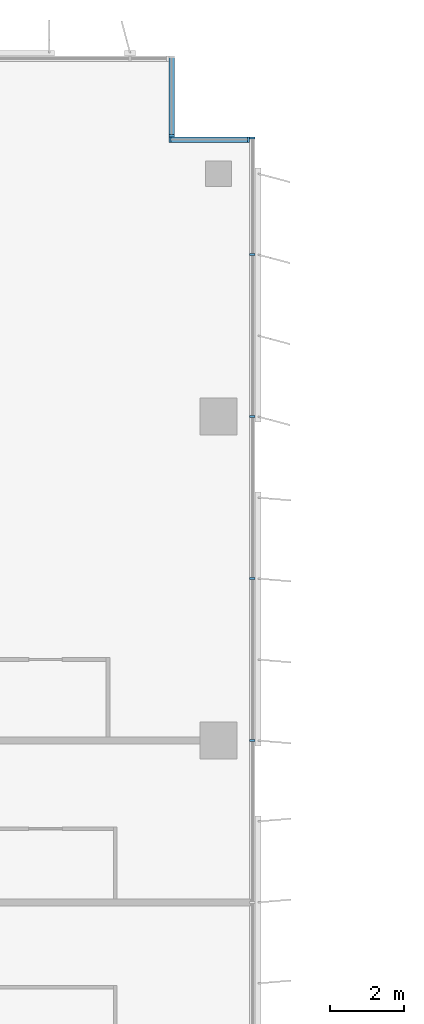
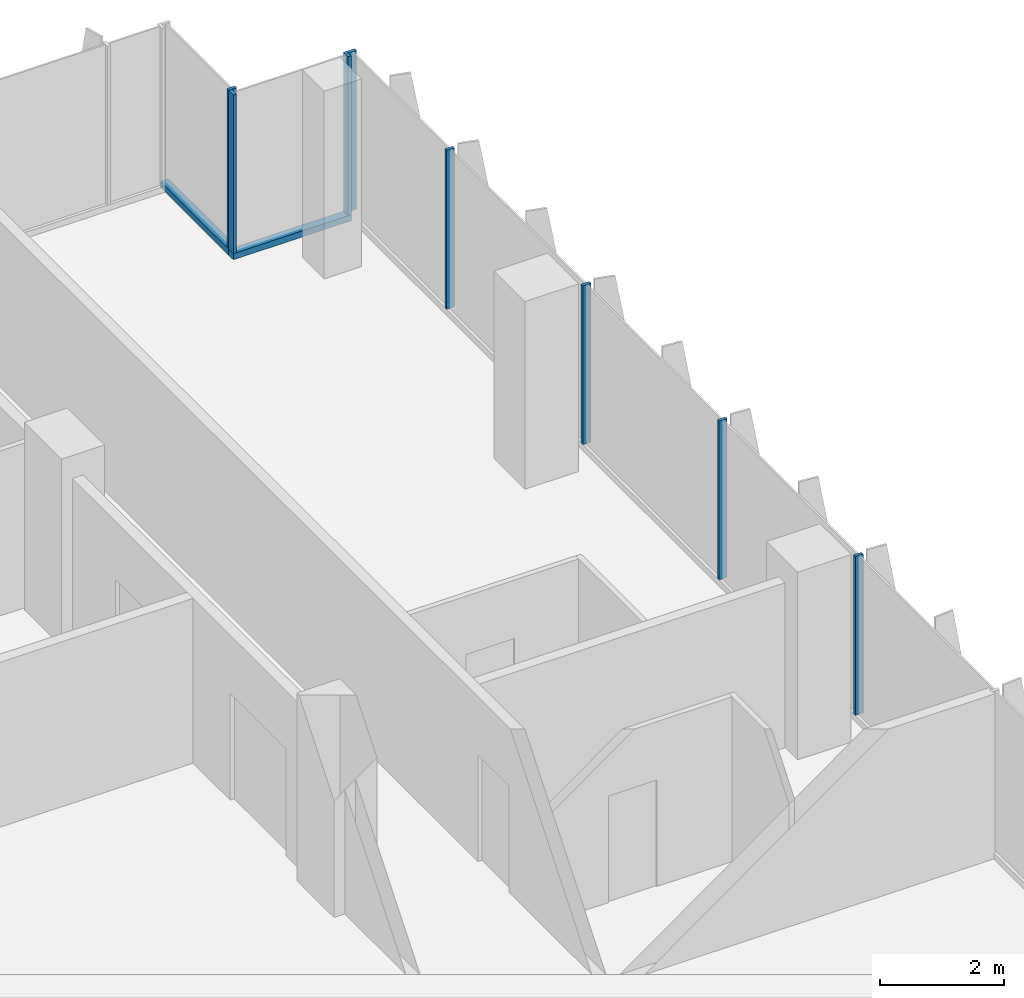
# One storey, part 7 of 21: 10 members, 3 elements without a shape of their own.
"""IFC4 building model written with IfcOpenShell, lengths in metres."""

from ifc_helpers import new_model, si_unit, direction, frame, origin, origin_2d, place, context, subcontext, project, spatial, rectangle, extrude, source, transform, mapped, material, material_profile, profile_set, type_object, element, aggregate, save


model = new_model("IFC4")

# Units and contexts
model_context = context("Model", 3, precision=1e-05, world=origin(), true_north=direction((0.0, 1.0)))
body_context = subcontext(model_context, "Body", "Model", "MODEL_VIEW")
ifc_project = project(units=[si_unit("LENGTHUNIT", "METRE"), si_unit("AREAUNIT", "SQUARE_METRE"), si_unit("VOLUMEUNIT", "CUBIC_METRE"), si_unit("PLANEANGLEUNIT", "RADIAN"), si_unit("MASSUNIT", "GRAM", prefix="KILO")], contexts=[model_context])

# Site, building, storey
site_placement = place(None, origin())
site = spatial("IfcSite", under=ifc_project, at=site_placement, CompositionType="ELEMENT")
building_placement = place(site_placement, origin())
building = spatial("IfcBuilding", under=site, at=building_placement, Name="Kemantara Hotel Tower", CompositionType="ELEMENT")
storey_placement = place(building_placement, frame((0.0, 0.0, 198.800048828125)))
storey = spatial("IfcBuildingStorey", under=building, at=storey_placement, Name="L49", CompositionType="ELEMENT", Elevation=198.800048828125)

# Curtain wall, member
ifc_material_1 = material(Name="Low-E tinted double insulated glass 36 mm", Category="glass")
curtain_wall_type = type_object("IfcCurtainWallType", Name="TOWER CURTAIN WALL, FRONT FACES", PredefinedType="USERDEFINED", material=ifc_material_1)
curtain_wall_1_placement = place(storey_placement, origin())
curtain_wall_1 = element("IfcCurtainWall", 1, at=curtain_wall_1_placement, inside=storey, type_object=curtain_wall_type, Name="CW4 L49 T3-R00-1", ObjectType="TOWER CURTAIN WALL, FRONT FACES", PredefinedType="USERDEFINED")
ifc_material_2 = material(Name="Aluminium 6063-T6 bronze anodised", Category="aluminium")
ifc_material_profile_1 = material_profile(ifc_material_2, rectangle(XDim=0.14990234375, YDim=0.1201171875, at=origin_2d()), Name="TOWER CURTAIN WALL, FRONT FACES TRANSOM")
ifc_profile_set_1 = profile_set([ifc_material_profile_1], Name="Aluminium 6063-T6 bronze anodised")
member_type_1 = type_object("IfcMemberType", Name="TOWER CURTAIN WALL, FRONT FACES TRANSOM", PredefinedType="USERDEFINED", material=ifc_profile_set_1)
member_1_placement = place(storey_placement, frame((21.85009765625, 61.324951171875, 0.06005859375), z_axis=(-1.0, 0.0, 0.0), x_axis=(0.0, -1.0, 0.0)))
member_1 = element("IfcMember", 2, at=member_1_placement, type_object=member_type_1, Name="CW4 sill transom T3-R00-1", ObjectType="TRANSOM", PredefinedType="USERDEFINED", context=body_context, shape_type="SweptSolid", body=[
    extrude(rectangle(XDim=0.14990234375, YDim=0.1201171875, at=origin_2d()), origin(), (0.0, 0.0, 1.0), 2.2001953125),
])

curtain_wall_2_placement = place(storey_placement, origin())
curtain_wall_2 = element("IfcCurtainWall", 3, at=curtain_wall_2_placement, inside=storey, type_object=curtain_wall_type, Name="CW4 L49 T3-R01-1", ObjectType="TOWER CURTAIN WALL, FRONT FACES", PredefinedType="USERDEFINED")
member_2_placement = place(storey_placement, frame((19.72509765625, 61.39990234375, 0.06005859375), z_axis=(0.0, 1.0, 0.0), x_axis=(-1.0, 0.0, 0.0)))
member_2 = element("IfcMember", 4, at=member_2_placement, type_object=member_type_1, Name="CW4 sill transom T3-R01-1", ObjectType="TRANSOM", PredefinedType="USERDEFINED", context=body_context, shape_type="SweptSolid", body=[
    extrude(rectangle(XDim=0.14990234375, YDim=0.1201171875, at=origin_2d()), origin(), (0.0, 0.0, 1.0), 2.2001953125),
])

# Curtain wall, members
curtain_wall_3_placement = place(storey_placement, origin())
curtain_wall_3 = element("IfcCurtainWall", 5, at=curtain_wall_3_placement, inside=storey, type_object=curtain_wall_type, Name="CW4 L49 T3-R17-1", ObjectType="TOWER CURTAIN WALL, FRONT FACES", PredefinedType="USERDEFINED")
ifc_material_profile_2 = material_profile(ifc_material_2, rectangle(XDim=0.14990234375, YDim=0.06005859375, at=origin_2d()), Name="TOWER CURTAIN WALL, FRONT FACES MULLION")
ifc_profile_set_2 = profile_set([ifc_material_profile_2], Name="Aluminium 6063-T6 bronze anodised")
member_type_2 = type_object("IfcMemberType", Name="TOWER CURTAIN WALL, FRONT FACES MULLION", PredefinedType="MULLION", material=ifc_profile_set_2)
shared_shape = source(origin(), body_context, "Body", "SweptSolid", [
    extrude(rectangle(XDim=0.14990234375, YDim=0.06005859375, at=origin_2d()), origin(), (0.0, 0.0, 1.0), 3.130126953125),
])
member_3_placement = place(storey_placement, frame((21.925048828125, 45.0, 0.119873046875), z_axis=(0.0, 0.0, 1.0), x_axis=(-1.0, 0.0, 0.0)))
member_3 = element("IfcMember", 6, at=member_3_placement, type_object=member_type_2, Name="CW4 mullion T3-R17-1.6", PredefinedType="MULLION", context=body_context, shape_type="MappedRepresentation", body=[
    mapped(shared_shape, transform((0.0, 0.0, 0.0))),
])
member_4_placement = place(storey_placement, frame((21.925048828125, 49.39990234375, 0.119873046875), z_axis=(0.0, 0.0, 1.0), x_axis=(-1.0, 0.0, 0.0)))
member_4 = element("IfcMember", 7, at=member_4_placement, type_object=member_type_2, Name="CW4 mullion T3-R17-1.7", PredefinedType="MULLION", context=body_context, shape_type="MappedRepresentation", body=[
    mapped(shared_shape, transform((0.0, 0.0, 0.0))),
])
member_5_placement = place(storey_placement, frame((21.925048828125, 53.800048828125, 0.119873046875), z_axis=(0.0, 0.0, 1.0), x_axis=(-1.0, 0.0, 0.0)))
member_5 = element("IfcMember", 8, at=member_5_placement, type_object=member_type_2, Name="CW4 mullion T3-R17-1.8", PredefinedType="MULLION", context=body_context, shape_type="MappedRepresentation", body=[
    mapped(shared_shape, transform((0.0, 0.0, 0.0))),
])
member_6_placement = place(storey_placement, frame((21.925048828125, 58.199951171875, 0.119873046875), z_axis=(0.0, 0.0, 1.0), x_axis=(-1.0, 0.0, 0.0)))
member_6 = element("IfcMember", 9, at=member_6_placement, type_object=member_type_2, Name="CW4 mullion T3-R17-1.9", PredefinedType="MULLION", context=body_context, shape_type="MappedRepresentation", body=[
    mapped(shared_shape, transform((0.0, 0.0, 0.0))),
])
member_7_placement = place(storey_placement, frame((21.925048828125, 61.3701171875, 0.119873046875), z_axis=(0.0, 0.0, 1.0), x_axis=(-1.0, 0.0, 0.0)))
member_7 = element("IfcMember", 10, at=member_7_placement, type_object=member_type_2, Name="CW4 mullion T3-R17-1.10", PredefinedType="MULLION", context=body_context, shape_type="MappedRepresentation", body=[
    mapped(shared_shape, transform((0.0, 0.0, 0.0))),
])
aggregate(curtain_wall_3, [member_3, member_4, member_5, member_6, member_7])

# Member
member_8_placement = place(storey_placement, frame((21.820068359375, 61.324951171875, 0.119873046875), z_axis=(0.0, 0.0, 1.0), x_axis=(0.0, -1.0, 0.0)))
member_8 = element("IfcMember", 11, at=member_8_placement, type_object=member_type_2, Name="CW4 mullion T3-R00-1.1", PredefinedType="MULLION", context=body_context, shape_type="MappedRepresentation", body=[
    mapped(shared_shape, transform((0.0, 0.0, 0.0))),
])

member_9_placement = place(storey_placement, frame((19.679931640625, 61.324951171875, 0.119873046875), z_axis=(0.0, 0.0, 1.0), x_axis=(0.0, -1.0, 0.0)))
member_9 = element("IfcMember", 12, at=member_9_placement, type_object=member_type_2, Name="CW4 mullion T3-R00-1.2", PredefinedType="MULLION", context=body_context, shape_type="MappedRepresentation", body=[
    mapped(shared_shape, transform((0.0, 0.0, 0.0))),
])

aggregate(curtain_wall_1, [member_1, member_8, member_9])

member_10_placement = place(storey_placement, frame((19.72509765625, 61.429931640625, 0.119873046875), z_axis=(0.0, 0.0, 1.0), x_axis=(-1.0, 0.0, 0.0)))
member_10 = element("IfcMember", 13, at=member_10_placement, type_object=member_type_2, Name="CW4 mullion T3-R01-1.1", PredefinedType="MULLION", context=body_context, shape_type="MappedRepresentation", body=[
    mapped(shared_shape, transform((0.0, 0.0, 0.0))),
])

aggregate(curtain_wall_2, [member_2, member_10])

save(model, "model.ifc")
